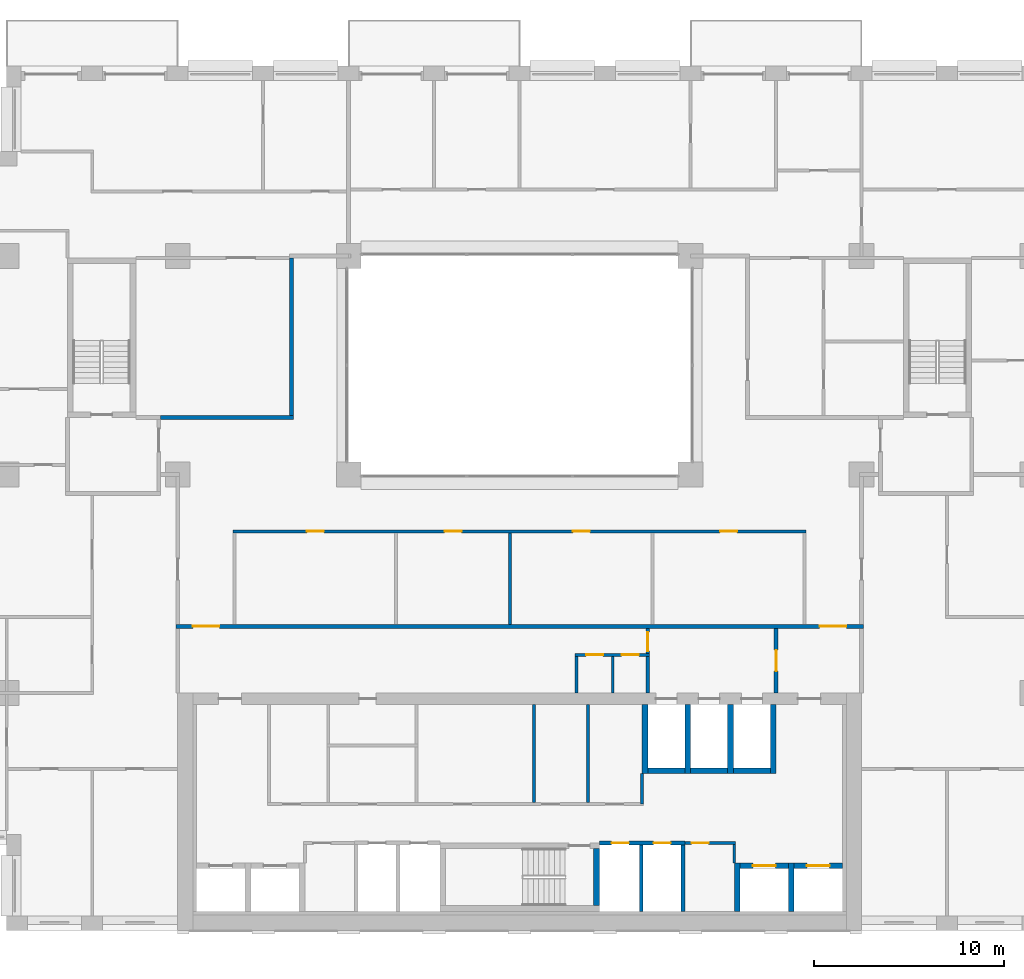
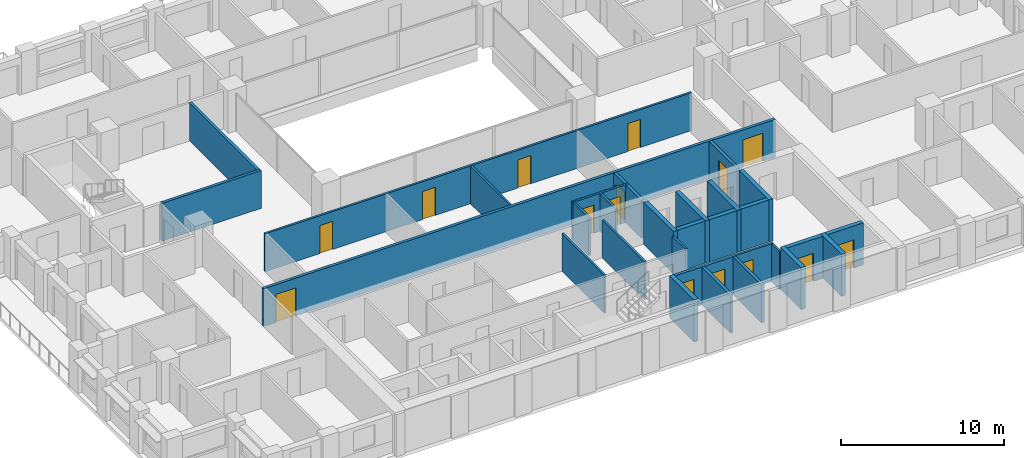
# One storey, part 10 of 17: 31 walls, 15 doors, 15 openings.
"""IFC4 building model written with IfcOpenShell, lengths in metres."""

from ifc_helpers import new_model, si_unit, direction, frame, frame_2d, origin, place, context, subcontext, project, spatial, rectangle, extrude, material, layer, layer_set, type_object, element, fill, save


model = new_model("IFC4")

# Units and contexts
model_context = context("Model", 3, precision=1e-05, world=origin(), true_north=direction((0.0, 1.0)))
body_context = subcontext(model_context, "Body", "Model", "MODEL_VIEW")
ifc_project = project(units=[si_unit("LENGTHUNIT", "METRE"), si_unit("AREAUNIT", "SQUARE_METRE"), si_unit("VOLUMEUNIT", "CUBIC_METRE"), si_unit("PLANEANGLEUNIT", "RADIAN"), si_unit("MASSUNIT", "GRAM", prefix="KILO")], contexts=[model_context])

# Site, building, storey
site_placement = place(None, origin())
site = spatial("IfcSite", under=ifc_project, at=site_placement, CompositionType="ELEMENT")
building_placement = place(site_placement, origin())
building = spatial("IfcBuilding", under=site, at=building_placement, Name="Brigalow Station Residences", CompositionType="ELEMENT")
storey_placement = place(building_placement, frame((0.0, 0.0, 111.89990234375)))
storey = spatial("IfcBuildingStorey", under=building, at=storey_placement, Name="L32", CompositionType="ELEMENT", Elevation=111.89990234375)

# Walls
ifc_material_1 = material(Name="Concrete C65", Category="concrete")
ifc_layer_1 = layer(ifc_material_1, 0.300048828125)
ifc_layer_set_1 = layer_set([ifc_layer_1], Name="CORE SHEAR WALL 300 C65")
wall_type_1 = type_object("IfcWallType", Name="CORE SHEAR WALL 300 C65", PredefinedType="SHEAR", material=ifc_layer_set_1)
wall_1_placement = place(storey_placement, frame((42.75, 8.39990234375, 0.0), z_axis=(0.0, 0.0, 1.0), x_axis=(1.0, 0.0, 0.0)))
element("IfcWall", 1, at=wall_1_placement, inside=storey, type_object=wall_type_1, Name="CORE WALL SH-FF1-S L32", PredefinedType="SHEAR", context=body_context, shape_type="SweptSolid", body=[
    extrude(rectangle(XDim=1.949951171875, YDim=0.300048828125, at=frame_2d((0.97509765625, 0.0))), origin(), (0.0, 0.0, 1.0), 3.150146484375),
])
wall_2_placement = place(storey_placement, frame((42.60009765625, 8.25, 0.0), z_axis=(0.0, 0.0, 1.0), x_axis=(0.0, 1.0, 0.0)))
element("IfcWall", 2, at=wall_2_placement, inside=storey, type_object=wall_type_1, Name="CORE WALL SH-FF1-W L32", PredefinedType="SHEAR", context=body_context, shape_type="SweptSolid", body=[
    extrude(rectangle(XDim=3.64990234375, YDim=0.300048828125, at=frame_2d((1.824951171875, 0.0))), origin(), (0.0, 0.0, 1.0), 3.150146484375),
])
wall_3_placement = place(storey_placement, frame((45.0, 8.39990234375, 0.0), z_axis=(0.0, 0.0, 1.0), x_axis=(1.0, 0.0, 0.0)))
element("IfcWall", 3, at=wall_3_placement, inside=storey, type_object=wall_type_1, Name="CORE WALL SH-FF2-S L32", PredefinedType="SHEAR", context=body_context, shape_type="SweptSolid", body=[
    extrude(rectangle(XDim=1.949951171875, YDim=0.300048828125, at=frame_2d((0.97509765625, 0.0))), origin(), (0.0, 0.0, 1.0), 3.150146484375),
])
wall_4_placement = place(storey_placement, frame((44.85009765625, 8.25, 0.0), z_axis=(0.0, 0.0, 1.0), x_axis=(0.0, 1.0, 0.0)))
element("IfcWall", 4, at=wall_4_placement, inside=storey, type_object=wall_type_1, Name="CORE WALL SH-FF2-W L32", PredefinedType="SHEAR", context=body_context, shape_type="SweptSolid", body=[
    extrude(rectangle(XDim=3.64990234375, YDim=0.300048828125, at=frame_2d((1.824951171875, 0.0))), origin(), (0.0, 0.0, 1.0), 3.150146484375),
])
wall_5_placement = place(storey_placement, frame((47.25, 8.39990234375, 0.0), z_axis=(0.0, 0.0, 1.0), x_axis=(1.0, 0.0, 0.0)))
element("IfcWall", 5, at=wall_5_placement, inside=storey, type_object=wall_type_1, Name="CORE WALL SH-SL1-S L32", PredefinedType="SHEAR", context=body_context, shape_type="SweptSolid", body=[
    extrude(rectangle(XDim=1.949951171875, YDim=0.300048828125, at=frame_2d((0.97509765625, 0.0))), origin(), (0.0, 0.0, 1.0), 3.150146484375),
])
for number, where, z_axis, x_axis, name in (
    (6, (47.10009765625, 8.25, 0.0), (0.0, 0.0, 1.0), (0.0, 1.0, 0.0), "CORE WALL SH-SL1-W L32"),
    (7, (49.35009765625, 8.25, 0.0), (0.0, 0.0, 1.0), (0.0, 1.0, 0.0), "CORE WALL SH-SL1-E L32"),
):
    element("IfcWall", number, at=place(storey_placement, frame(where, z_axis=z_axis, x_axis=x_axis)), inside=storey, type_object=wall_type_1, Name=name, PredefinedType="SHEAR", context=body_context, shape_type="SweptSolid", body=[
        extrude(rectangle(XDim=3.64990234375, YDim=0.300048828125, at=frame_2d((1.824951171875, 0.0))), origin(), (0.0, 0.0, 1.0), 3.150146484375),
    ])

# Wall, opening, door
wall_6_placement = place(storey_placement, frame((47.60009765625, 3.39990234375, 0.0), z_axis=(0.0, 0.0, 1.0), x_axis=(1.0, 0.0, 0.0)))
wall_6 = element("IfcWall", 8, at=wall_6_placement, inside=storey, type_object=wall_type_1, Name="CORE WALL SH-C3-N L32", PredefinedType="SHEAR", context=body_context, shape_type="SweptSolid", body=[
    extrude(rectangle(XDim=2.5498046875, YDim=0.300048828125, at=frame_2d((1.27490234375, 0.0))), origin(), (0.0, 0.0, 1.0), 3.150146484375),
])
opening_1_placement = place(wall_6_placement, frame((0.675048828125, 0.0, 0.0)))
opening_1 = element("IfcOpeningElement", 9, at=opening_1_placement, cuts=wall_6, Name="Opening LD-LB3", PredefinedType="OPENING", context=body_context, shape_type="SweptSolid", body=[
    extrude(rectangle(XDim=1.199951171875, YDim=2.10009765625, at=frame_2d((0.60009765625, 1.050048828125))), frame((0.0, 0.16015625, 0.0), z_axis=(0.0, -1.0, 0.0), x_axis=(1.0, 0.0, 0.0)), (0.0, 0.0, 1.0), 0.320068359375),
])
ifc_material_2 = material(Name="Stainless steel sliding door leaves", Category="steel")
door_type_1 = type_object("IfcDoorType", Name="LIFT LANDING DOOR 1200 x 2100", OperationType="DOUBLE_DOOR_SLIDING", PredefinedType="DOOR", material=ifc_material_2)
door_1_placement = place(opening_1_placement, origin())
door_1 = element("IfcDoor", 10, at=door_1_placement, inside=storey, type_object=door_type_1, Name="LANDING DOOR LB3", OperationType="DOUBLE_DOOR_SLIDING", OverallHeight=2.10009765625, OverallWidth=1.199951171875, PredefinedType="DOOR", context=body_context, shape_type="SweptSolid", body=[
    extrude(rectangle(XDim=1.199951171875, YDim=2.10009765625, at=frame_2d((0.60009765625, 1.050048828125))), frame((0.0, 0.02490234375, 0.0), z_axis=(0.0, -1.0, 0.0), x_axis=(1.0, 0.0, 0.0)), (0.0, 0.0, 1.0), 0.050048828125),
])
fill(opening_1, door_1)

# Wall
wall_7_placement = place(storey_placement, frame((47.449951171875, 1.0, 0.0), z_axis=(0.0, 0.0, 1.0), x_axis=(0.0, 1.0, 0.0)))
element("IfcWall", 11, at=wall_7_placement, inside=storey, type_object=wall_type_1, Name="CORE WALL SH-C3-W L32", PredefinedType="SHEAR", context=body_context, shape_type="SweptSolid", body=[
    extrude(rectangle(XDim=2.550048828125, YDim=0.300048828125, at=frame_2d((1.27490234375, 0.0))), origin(), (0.0, 0.0, 1.0), 3.150146484375),
])

# Wall, opening, door
wall_8_placement = place(storey_placement, frame((50.449951171875, 3.39990234375, 0.0), z_axis=(0.0, 0.0, 1.0), x_axis=(1.0, 0.0, 0.0)))
wall_8 = element("IfcWall", 12, at=wall_8_placement, inside=storey, type_object=wall_type_1, Name="CORE WALL SH-C4-N L32", PredefinedType="SHEAR", context=body_context, shape_type="SweptSolid", body=[
    extrude(rectangle(XDim=2.550048828125, YDim=0.300048828125, at=frame_2d((1.27490234375, 0.0))), origin(), (0.0, 0.0, 1.0), 3.150146484375),
])
opening_2_placement = place(wall_8_placement, frame((0.675048828125, 0.0, 0.0)))
opening_2 = element("IfcOpeningElement", 13, at=opening_2_placement, cuts=wall_8, Name="Opening LD-LB4", PredefinedType="OPENING", context=body_context, shape_type="SweptSolid", body=[
    extrude(rectangle(XDim=1.199951171875, YDim=2.10009765625, at=frame_2d((0.60009765625, 1.050048828125))), frame((0.0, 0.16015625, 0.0), z_axis=(0.0, -1.0, 0.0), x_axis=(1.0, 0.0, 0.0)), (0.0, 0.0, 1.0), 0.320068359375),
])
door_2_placement = place(opening_2_placement, origin())
door_2 = element("IfcDoor", 14, at=door_2_placement, inside=storey, type_object=door_type_1, Name="LANDING DOOR LB4", OperationType="DOUBLE_DOOR_SLIDING", OverallHeight=2.10009765625, OverallWidth=1.199951171875, PredefinedType="DOOR", context=body_context, shape_type="SweptSolid", body=[
    extrude(rectangle(XDim=1.199951171875, YDim=2.10009765625, at=frame_2d((0.60009765625, 1.050048828125))), frame((0.0, 0.02490234375, 0.0), z_axis=(0.0, -1.0, 0.0), x_axis=(1.0, 0.0, 0.0)), (0.0, 0.0, 1.0), 0.050048828125),
])
fill(opening_2, door_2)

# Walls
wall_9_placement = place(storey_placement, frame((50.300048828125, 1.0, 0.0), z_axis=(0.0, 0.0, 1.0), x_axis=(0.0, 1.0, 0.0)))
element("IfcWall", 15, at=wall_9_placement, inside=storey, type_object=wall_type_1, Name="CORE WALL SH-C4-W L32", PredefinedType="SHEAR", context=body_context, shape_type="SweptSolid", body=[
    extrude(rectangle(XDim=2.550048828125, YDim=0.300048828125, at=frame_2d((1.27490234375, 0.0))), origin(), (0.0, 0.0, 1.0), 3.150146484375),
])
wall_10_placement = place(storey_placement, frame((40.050048828125, 1.300048828125, 0.0), z_axis=(0.0, 0.0, 1.0), x_axis=(0.0, 1.0, 0.0)))
element("IfcWall", 16, at=wall_10_placement, inside=storey, type_object=wall_type_1, Name="CORE WALL ST-S2-E L32", PredefinedType="SHEAR", context=body_context, shape_type="SweptSolid", body=[
    extrude(rectangle(XDim=3.0, YDim=0.300048828125, at=frame_2d((1.5, 0.0))), origin(), (0.0, 0.0, 1.0), 3.150146484375),
])

# Wall, openings, doors
ifc_material_3 = material(Name="Concrete blockwork", Category="masonry")
ifc_layer_2 = layer(ifc_material_3, 0.199951171875)
ifc_layer_set_2 = layer_set([ifc_layer_2], Name="FIRE RATED CORE PARTITION 200")
wall_type_2 = type_object("IfcWallType", Name="FIRE RATED CORE PARTITION 200", PredefinedType="PARTITIONING", material=ifc_layer_set_2)
wall_11_placement = place(storey_placement, frame((40.199951171875, 4.60009765625, 0.0), z_axis=(0.0, 0.0, 1.0), x_axis=(1.0, 0.0, 0.0)))
wall_11 = element("IfcWall", 17, at=wall_11_placement, inside=storey, type_object=wall_type_2, Name="PW-5018", PredefinedType="PARTITIONING", context=body_context, shape_type="SweptSolid", body=[
    extrude(rectangle(XDim=4.5, YDim=0.199951171875, at=frame_2d((2.25, 0.0))), origin(), (0.0, 0.0, 1.0), 2.830078125),
])
opening_3_placement = place(wall_11_placement, frame((0.64990234375, 0.0, 0.0)))
opening_3 = element("IfcOpeningElement", 18, at=opening_3_placement, cuts=wall_11, Name="Opening D-5009", PredefinedType="OPENING", context=body_context, shape_type="SweptSolid", body=[
    extrude(rectangle(XDim=0.89990234375, YDim=2.10009765625, at=frame_2d((0.449951171875, 1.050048828125))), frame((0.0, 0.10986328125, 0.0), z_axis=(0.0, -1.0, 0.0), x_axis=(1.0, 0.0, 0.0)), (0.0, 0.0, 1.0), 0.219970703125),
])
opening_4_placement = place(wall_11_placement, frame((2.85009765625, 0.0, 0.0)))
opening_4 = element("IfcOpeningElement", 19, at=opening_4_placement, cuts=wall_11, Name="Opening D-5010", PredefinedType="OPENING", context=body_context, shape_type="SweptSolid", body=[
    extrude(rectangle(XDim=0.89990234375, YDim=2.10009765625, at=frame_2d((0.449951171875, 1.050048828125))), frame((0.0, 0.10986328125, 0.0), z_axis=(0.0, -1.0, 0.0), x_axis=(1.0, 0.0, 0.0)), (0.0, 0.0, 1.0), 0.219970703125),
])
ifc_material_4 = material(Name="Steel fire door leaf in steel frame", Category="steel")
door_type_2 = type_object("IfcDoorType", Name="RISER ACCESS DOOR 900 x 2100 FD120", OperationType="SINGLE_SWING_LEFT", PredefinedType="DOOR", material=ifc_material_4)
door_3_placement = place(opening_3_placement, frame((0.89990234375, 0.0, 0.0), z_axis=(0.0, 0.0, 1.0), x_axis=(-1.0, 0.0, 0.0)))
door_3 = element("IfcDoor", 20, at=door_3_placement, inside=storey, type_object=door_type_2, Name="D-5009", OperationType="SINGLE_SWING_LEFT", OverallHeight=2.10009765625, OverallWidth=0.89990234375, PredefinedType="DOOR", context=body_context, shape_type="SweptSolid", body=[
    extrude(rectangle(XDim=0.89990234375, YDim=2.10009765625, at=frame_2d((0.449951171875, 1.050048828125))), frame((0.0, 0.02490234375, 0.0), z_axis=(0.0, -1.0, 0.0), x_axis=(1.0, 0.0, 0.0)), (0.0, 0.0, 1.0), 0.050048828125),
])
fill(opening_3, door_3)
door_4_placement = place(opening_4_placement, frame((0.89990234375, 0.0, 0.0), z_axis=(0.0, 0.0, 1.0), x_axis=(-1.0, 0.0, 0.0)))
door_4 = element("IfcDoor", 21, at=door_4_placement, inside=storey, type_object=door_type_2, Name="D-5010", OperationType="SINGLE_SWING_LEFT", OverallHeight=2.10009765625, OverallWidth=0.89990234375, PredefinedType="DOOR", context=body_context, shape_type="SweptSolid", body=[
    extrude(rectangle(XDim=0.89990234375, YDim=2.10009765625, at=frame_2d((0.449951171875, 1.050048828125))), frame((0.0, 0.02490234375, 0.0), z_axis=(0.0, -1.0, 0.0), x_axis=(1.0, 0.0, 0.0)), (0.0, 0.0, 1.0), 0.050048828125),
])
fill(opening_4, door_4)

# Walls
for number, where, z_axis, x_axis, name in (
    (22, (42.39990234375, 1.0, 0.0), (0.0, 0.0, 1.0), (0.0, 1.0, 0.0), "PW-5007"),
    (23, (44.60009765625, 1.0, 0.0), (0.0, 0.0, 1.0), (0.0, 1.0, 0.0), "PW-5008"),
):
    element("IfcWall", number, at=place(storey_placement, frame(where, z_axis=z_axis, x_axis=x_axis)), inside=storey, type_object=wall_type_2, Name=name, PredefinedType="PARTITIONING", context=body_context, shape_type="SweptSolid", body=[
        extrude(rectangle(XDim=3.5, YDim=0.199951171875, at=frame_2d((1.75, 0.0))), origin(), (0.0, 0.0, 1.0), 2.830078125),
    ])
wall_12_placement = place(storey_placement, frame((42.75, 12.5, 0.0), z_axis=(0.0, 0.0, 1.0), x_axis=(0.0, 1.0, 0.0)))
element("IfcWall", 24, at=wall_12_placement, inside=storey, type_object=wall_type_2, Name="PW-5046", PredefinedType="PARTITIONING", context=body_context, shape_type="SweptSolid", body=[
    extrude(rectangle(XDim=1.925048828125, YDim=0.199951171875, at=frame_2d((0.96240234375, 0.0))), origin(), (0.0, 0.0, 1.0), 2.830078125),
])

# Wall, opening, door
wall_13_placement = place(storey_placement, frame((49.5, 12.5, 0.0), z_axis=(0.0, 0.0, 1.0), x_axis=(0.0, 1.0, 0.0)))
wall_13 = element("IfcWall", 25, at=wall_13_placement, inside=storey, type_object=wall_type_2, Name="PW-5015", PredefinedType="PARTITIONING", context=body_context, shape_type="SweptSolid", body=[
    extrude(rectangle(XDim=3.39990234375, YDim=0.199951171875, at=frame_2d((1.699951171875, 0.0))), origin(), (0.0, 0.0, 1.0), 2.830078125),
])
opening_5_placement = place(wall_13_placement, frame((1.14990234375, 0.0, 0.0)))
opening_5 = element("IfcOpeningElement", 26, at=opening_5_placement, cuts=wall_13, Name="Opening D-5014", PredefinedType="OPENING", context=body_context, shape_type="SweptSolid", body=[
    extrude(rectangle(XDim=1.10009765625, YDim=2.10009765625, at=frame_2d((0.550048828125, 1.050048828125))), frame((0.0, 0.10986328125, 0.0), z_axis=(0.0, -1.0, 0.0), x_axis=(1.0, 0.0, 0.0)), (0.0, 0.0, 1.0), 0.219970703125),
])
ifc_material_5 = material(Name="Steel fire door leaf in steel frame", Category="steel")
door_type_3 = type_object("IfcDoorType", Name="LOBBY DOOR 1100 x 2100 FD60S", OperationType="SINGLE_SWING_LEFT", PredefinedType="DOOR", material=ifc_material_5)
door_5_placement = place(opening_5_placement, origin())
door_5 = element("IfcDoor", 27, at=door_5_placement, inside=storey, type_object=door_type_3, Name="D-5014", OperationType="SINGLE_SWING_LEFT", OverallHeight=2.10009765625, OverallWidth=1.10009765625, PredefinedType="DOOR", context=body_context, shape_type="SweptSolid", body=[
    extrude(rectangle(XDim=1.10009765625, YDim=2.10009765625, at=frame_2d((0.550048828125, 1.050048828125))), frame((0.0, 0.02490234375, 0.0), z_axis=(0.0, -1.0, 0.0), x_axis=(1.0, 0.0, 0.0)), (0.0, 0.0, 1.0), 0.050048828125),
])
fill(opening_5, door_5)

wall_14_placement = place(storey_placement, frame((42.75, 14.574951171875, 0.0), z_axis=(0.0, 0.0, 1.0), x_axis=(0.0, 1.0, 0.0)))
wall_14 = element("IfcWall", 28, at=wall_14_placement, inside=storey, type_object=wall_type_2, Name="PW-5047", PredefinedType="PARTITIONING", context=body_context, shape_type="SweptSolid", body=[
    extrude(rectangle(XDim=1.324951171875, YDim=0.199951171875, at=frame_2d((0.66259765625, 0.0))), origin(), (0.0, 0.0, 1.0), 2.830078125),
])
opening_6_placement = place(wall_14_placement, frame((0.125, 0.0, 0.0)))
opening_6 = element("IfcOpeningElement", 29, at=opening_6_placement, cuts=wall_14, Name="Opening D-5013", PredefinedType="OPENING", context=body_context, shape_type="SweptSolid", body=[
    extrude(rectangle(XDim=1.0, YDim=2.10009765625, at=frame_2d((0.5, 1.050048828125))), frame((0.0, 0.10986328125, 0.0), z_axis=(0.0, -1.0, 0.0), x_axis=(1.0, 0.0, 0.0)), (0.0, 0.0, 1.0), 0.219970703125),
])
ifc_material_6 = material(Name="Steel fire door leaf in steel frame", Category="steel")
door_type_4 = type_object("IfcDoorType", Name="LOBBY DOOR 1000 x 2100 FD60S", OperationType="SINGLE_SWING_LEFT", PredefinedType="DOOR", material=ifc_material_6)
door_6_placement = place(opening_6_placement, origin())
door_6 = element("IfcDoor", 30, at=door_6_placement, inside=storey, type_object=door_type_4, Name="D-5013", OperationType="SINGLE_SWING_LEFT", OverallHeight=2.10009765625, OverallWidth=1.0, PredefinedType="DOOR", context=body_context, shape_type="SweptSolid", body=[
    extrude(rectangle(XDim=1.0, YDim=2.10009765625, at=frame_2d((0.5, 1.050048828125))), frame((0.0, 0.02490234375, 0.0), z_axis=(0.0, -1.0, 0.0), x_axis=(1.0, 0.0, 0.0)), (0.0, 0.0, 1.0), 0.050048828125),
])
fill(opening_6, door_6)

# Wall, openings, doors
ifc_material_7 = material(Name="Plasterboard on steel stud partition", Category="steel")
ifc_layer_3 = layer(ifc_material_7, 0.14990234375)
ifc_layer_set_3 = layer_set([ifc_layer_3], Name="FLAT PARTITION 150")
wall_type_3 = type_object("IfcWallType", Name="FLAT PARTITION 150", PredefinedType="PARTITIONING", material=ifc_layer_set_3)
wall_15_placement = place(storey_placement, frame((20.925048828125, 21.0, 0.0), z_axis=(0.0, 0.0, 1.0), x_axis=(1.0, 0.0, 0.0)))
wall_15 = element("IfcWall", 31, at=wall_15_placement, inside=storey, type_object=wall_type_3, Name="PW-2D01", PredefinedType="PARTITIONING", context=body_context, shape_type="SweptSolid", body=[
    extrude(rectangle(XDim=30.14990234375, YDim=0.14990234375, at=frame_2d((15.074951171875, 0.0))), origin(), (0.0, 0.0, 1.0), 2.830078125),
])
opening_7_placement = place(wall_15_placement, frame((3.875, 0.0, 0.0)))
opening_7 = element("IfcOpeningElement", 32, at=opening_7_placement, cuts=wall_15, Name="Opening D-2D48", PredefinedType="OPENING", context=body_context, shape_type="SweptSolid", body=[
    extrude(rectangle(XDim=0.89990234375, YDim=2.10009765625, at=frame_2d((0.449951171875, 1.050048828125))), frame((0.0, 0.0849609375, 0.0), z_axis=(0.0, -1.0, 0.0), x_axis=(1.0, 0.0, 0.0)), (0.0, 0.0, 1.0), 0.169921875),
])
opening_8_placement = place(wall_15_placement, frame((11.125, 0.0, 0.0)))
opening_8 = element("IfcOpeningElement", 33, at=opening_8_placement, cuts=wall_15, Name="Opening D-2D49", PredefinedType="OPENING", context=body_context, shape_type="SweptSolid", body=[
    extrude(rectangle(XDim=0.89990234375, YDim=2.10009765625, at=frame_2d((0.449951171875, 1.050048828125))), frame((0.0, 0.0849609375, 0.0), z_axis=(0.0, -1.0, 0.0), x_axis=(1.0, 0.0, 0.0)), (0.0, 0.0, 1.0), 0.169921875),
])
opening_9_placement = place(wall_15_placement, frame((17.875, 0.0, 0.0)))
opening_9 = element("IfcOpeningElement", 34, at=opening_9_placement, cuts=wall_15, Name="Opening D-2D50", PredefinedType="OPENING", context=body_context, shape_type="SweptSolid", body=[
    extrude(rectangle(XDim=0.89990234375, YDim=2.10009765625, at=frame_2d((0.449951171875, 1.050048828125))), frame((0.0, 0.0849609375, 0.0), z_axis=(0.0, -1.0, 0.0), x_axis=(1.0, 0.0, 0.0)), (0.0, 0.0, 1.0), 0.169921875),
])
opening_10_placement = place(wall_15_placement, frame((25.625, 0.0, 0.0)))
opening_10 = element("IfcOpeningElement", 35, at=opening_10_placement, cuts=wall_15, Name="Opening D-2D51", PredefinedType="OPENING", context=body_context, shape_type="SweptSolid", body=[
    extrude(rectangle(XDim=0.89990234375, YDim=2.10009765625, at=frame_2d((0.449951171875, 1.050048828125))), frame((0.0, 0.0849609375, 0.0), z_axis=(0.0, -1.0, 0.0), x_axis=(1.0, 0.0, 0.0)), (0.0, 0.0, 1.0), 0.169921875),
])
ifc_material_8 = material(Name="Solid-core timber door leaf", Category="wood")
door_type_5 = type_object("IfcDoorType", Name="INTERNAL DOOR 900 x 2100", OperationType="SINGLE_SWING_LEFT", PredefinedType="DOOR", material=ifc_material_8)
door_7_placement = place(opening_7_placement, frame((0.89990234375, 0.0, 0.0), z_axis=(0.0, 0.0, 1.0), x_axis=(-1.0, 0.0, 0.0)))
door_7 = element("IfcDoor", 36, at=door_7_placement, inside=storey, type_object=door_type_5, Name="D-2D48", OperationType="SINGLE_SWING_LEFT", OverallHeight=2.10009765625, OverallWidth=0.89990234375, PredefinedType="DOOR", context=body_context, shape_type="SweptSolid", body=[
    extrude(rectangle(XDim=0.89990234375, YDim=2.10009765625, at=frame_2d((0.449951171875, 1.050048828125))), frame((0.0, 0.02490234375, 0.0), z_axis=(0.0, -1.0, 0.0), x_axis=(1.0, 0.0, 0.0)), (0.0, 0.0, 1.0), 0.050048828125),
])
fill(opening_7, door_7)
door_8_placement = place(opening_8_placement, frame((0.89990234375, 0.0, 0.0), z_axis=(0.0, 0.0, 1.0), x_axis=(-1.0, 0.0, 0.0)))
door_8 = element("IfcDoor", 37, at=door_8_placement, inside=storey, type_object=door_type_5, Name="D-2D49", OperationType="SINGLE_SWING_LEFT", OverallHeight=2.10009765625, OverallWidth=0.89990234375, PredefinedType="DOOR", context=body_context, shape_type="SweptSolid", body=[
    extrude(rectangle(XDim=0.89990234375, YDim=2.10009765625, at=frame_2d((0.449951171875, 1.050048828125))), frame((0.0, 0.02490234375, 0.0), z_axis=(0.0, -1.0, 0.0), x_axis=(1.0, 0.0, 0.0)), (0.0, 0.0, 1.0), 0.050048828125),
])
fill(opening_8, door_8)
door_9_placement = place(opening_9_placement, frame((0.89990234375, 0.0, 0.0), z_axis=(0.0, 0.0, 1.0), x_axis=(-1.0, 0.0, 0.0)))
door_9 = element("IfcDoor", 38, at=door_9_placement, inside=storey, type_object=door_type_5, Name="D-2D50", OperationType="SINGLE_SWING_RIGHT", OverallHeight=2.10009765625, OverallWidth=0.89990234375, PredefinedType="DOOR", context=body_context, shape_type="SweptSolid", body=[
    extrude(rectangle(XDim=0.89990234375, YDim=2.10009765625, at=frame_2d((0.449951171875, 1.050048828125))), frame((0.0, 0.02490234375, 0.0), z_axis=(0.0, -1.0, 0.0), x_axis=(1.0, 0.0, 0.0)), (0.0, 0.0, 1.0), 0.050048828125),
])
fill(opening_9, door_9)
door_10_placement = place(opening_10_placement, frame((0.89990234375, 0.0, 0.0), z_axis=(0.0, 0.0, 1.0), x_axis=(-1.0, 0.0, 0.0)))
door_10 = element("IfcDoor", 39, at=door_10_placement, inside=storey, type_object=door_type_5, Name="D-2D51", OperationType="SINGLE_SWING_LEFT", OverallHeight=2.10009765625, OverallWidth=0.89990234375, PredefinedType="DOOR", context=body_context, shape_type="SweptSolid", body=[
    extrude(rectangle(XDim=0.89990234375, YDim=2.10009765625, at=frame_2d((0.449951171875, 1.050048828125))), frame((0.0, 0.02490234375, 0.0), z_axis=(0.0, -1.0, 0.0), x_axis=(1.0, 0.0, 0.0)), (0.0, 0.0, 1.0), 0.050048828125),
])
fill(opening_10, door_10)

# Walls
wall_16_placement = place(storey_placement, frame((35.5, 16.10009765625, 0.0), z_axis=(0.0, 0.0, 1.0), x_axis=(0.0, 1.0, 0.0)))
element("IfcWall", 40, at=wall_16_placement, inside=storey, type_object=wall_type_3, Name="PW-2D69", PredefinedType="PARTITIONING", context=body_context, shape_type="SweptSolid", body=[
    extrude(rectangle(XDim=4.824951171875, YDim=0.14990234375, at=frame_2d((2.41259765625, 0.0))), origin(), (0.0, 0.0, 1.0), 2.830078125),
])
ifc_material_9 = material(Name="Plasterboard on steel stud partition", Category="steel")
ifc_layer_4 = layer(ifc_material_9, 0.199951171875)
ifc_layer_set_4 = layer_set([ifc_layer_4], Name="PARTY AND CORRIDOR WALL 200")
wall_type_4 = type_object("IfcWallType", Name="PARTY AND CORRIDOR WALL 200", PredefinedType="PARTITIONING", material=ifc_layer_set_4)
wall_17_placement = place(storey_placement, frame((17.10009765625, 27.0, 0.0), z_axis=(0.0, 0.0, 1.0), x_axis=(1.0, 0.0, 0.0)))
element("IfcWall", 41, at=wall_17_placement, inside=storey, type_object=wall_type_4, Name="PW-2D05", PredefinedType="PARTITIONING", context=body_context, shape_type="SweptSolid", body=[
    extrude(rectangle(XDim=7.0, YDim=0.199951171875, at=frame_2d((3.5, 0.0))), origin(), (0.0, 0.0, 1.0), 2.830078125),
])

# Wall, openings, doors
wall_18_placement = place(storey_placement, frame((17.89990234375, 16.0, 0.0), z_axis=(0.0, 0.0, 1.0), x_axis=(1.0, 0.0, 0.0)))
wall_18 = element("IfcWall", 42, at=wall_18_placement, inside=storey, type_object=wall_type_4, Name="PW-2D37", PredefinedType="PARTITIONING", context=body_context, shape_type="SweptSolid", body=[
    extrude(rectangle(XDim=36.2001953125, YDim=0.199951171875, at=frame_2d((18.10009765625, 0.0))), origin(), (0.0, 0.0, 1.0), 2.830078125),
])
opening_11_placement = place(wall_18_placement, frame((0.89990234375, 0.0, 0.0)))
opening_11 = element("IfcOpeningElement", 43, at=opening_11_placement, cuts=wall_18, Name="Opening D-2D01", PredefinedType="OPENING", context=body_context, shape_type="SweptSolid", body=[
    extrude(rectangle(XDim=1.39990234375, YDim=2.10009765625, at=frame_2d((0.699951171875, 1.050048828125))), frame((0.0, 0.10986328125, 0.0), z_axis=(0.0, -1.0, 0.0), x_axis=(1.0, 0.0, 0.0)), (0.0, 0.0, 1.0), 0.219970703125),
])
opening_12_placement = place(wall_18_placement, frame((33.89990234375, 0.0, 0.0)))
opening_12 = element("IfcOpeningElement", 44, at=opening_12_placement, cuts=wall_18, Name="Opening D-2D02", PredefinedType="OPENING", context=body_context, shape_type="SweptSolid", body=[
    extrude(rectangle(XDim=1.39990234375, YDim=2.10009765625, at=frame_2d((0.699951171875, 1.050048828125))), frame((0.0, 0.10986328125, 0.0), z_axis=(0.0, -1.0, 0.0), x_axis=(1.0, 0.0, 0.0)), (0.0, 0.0, 1.0), 0.219970703125),
])
ifc_material_10 = material(Name="Solid-core timber door leaf", Category="wood")
door_type_6 = type_object("IfcDoorType", Name="CORRIDOR FIRE DOOR 1400 x 2100 FRL -/60/30", OperationType="DOUBLE_DOOR_SINGLE_SWING", PredefinedType="DOOR", material=ifc_material_10)
door_11_placement = place(opening_11_placement, frame((1.39990234375, 0.0, 0.0), z_axis=(0.0, 0.0, 1.0), x_axis=(-1.0, 0.0, 0.0)))
door_11 = element("IfcDoor", 45, at=door_11_placement, inside=storey, type_object=door_type_6, Name="D-2D01", OperationType="DOUBLE_DOOR_SINGLE_SWING", OverallHeight=2.10009765625, OverallWidth=1.39990234375, PredefinedType="DOOR", context=body_context, shape_type="SweptSolid", body=[
    extrude(rectangle(XDim=1.39990234375, YDim=2.10009765625, at=frame_2d((0.699951171875, 1.050048828125))), frame((0.0, 0.02490234375, 0.0), z_axis=(0.0, -1.0, 0.0), x_axis=(1.0, 0.0, 0.0)), (0.0, 0.0, 1.0), 0.050048828125),
])
fill(opening_11, door_11)
door_12_placement = place(opening_12_placement, frame((1.39990234375, 0.0, 0.0), z_axis=(0.0, 0.0, 1.0), x_axis=(-1.0, 0.0, 0.0)))
door_12 = element("IfcDoor", 46, at=door_12_placement, inside=storey, type_object=door_type_6, Name="D-2D02", OperationType="DOUBLE_DOOR_SINGLE_SWING", OverallHeight=2.10009765625, OverallWidth=1.39990234375, PredefinedType="DOOR", context=body_context, shape_type="SweptSolid", body=[
    extrude(rectangle(XDim=1.39990234375, YDim=2.10009765625, at=frame_2d((0.699951171875, 1.050048828125))), frame((0.0, 0.02490234375, 0.0), z_axis=(0.0, -1.0, 0.0), x_axis=(1.0, 0.0, 0.0)), (0.0, 0.0, 1.0), 0.050048828125),
])
fill(opening_12, door_12)

# Wall
wall_19_placement = place(storey_placement, frame((24.0, 27.10009765625, 0.0), z_axis=(0.0, 0.0, 1.0), x_axis=(0.0, 1.0, 0.0)))
element("IfcWall", 47, at=wall_19_placement, inside=storey, type_object=wall_type_4, Name="PW-2D43", PredefinedType="PARTITIONING", context=body_context, shape_type="SweptSolid", body=[
    extrude(rectangle(XDim=8.2998046875, YDim=0.199951171875, at=frame_2d((4.14990234375, 0.0))), origin(), (0.0, 0.0, 1.0), 2.830078125),
])

# Wall, opening, door
ifc_material_11 = material(Name="Plasterboard on steel studs", Category="steel")
ifc_layer_5 = layer(ifc_material_11, 0.14990234375)
ifc_layer_set_5 = layer_set([ifc_layer_5], Name="SERVICE ROOM PARTITION 150")
wall_type_5 = type_object("IfcWallType", Name="SERVICE ROOM PARTITION 150", PredefinedType="PARTITIONING", material=ifc_layer_set_5)
wall_20_placement = place(storey_placement, frame((44.699951171875, 4.60009765625, 0.0), z_axis=(0.0, 0.0, 1.0), x_axis=(1.0, 0.0, 0.0)))
wall_20 = element("IfcWall", 48, at=wall_20_placement, inside=storey, type_object=wall_type_5, Name="PW-5156", PredefinedType="PARTITIONING", context=body_context, shape_type="SweptSolid", body=[
    extrude(rectangle(XDim=2.675048828125, YDim=0.14990234375, at=frame_2d((1.33740234375, 0.0))), origin(), (0.0, 0.0, 1.0), 2.830078125),
])
opening_13_placement = place(wall_20_placement, frame((0.35009765625, 0.0, 0.0)))
opening_13 = element("IfcOpeningElement", 49, at=opening_13_placement, cuts=wall_20, Name="Opening D-5026", PredefinedType="OPENING", context=body_context, shape_type="SweptSolid", body=[
    extrude(rectangle(XDim=0.89990234375, YDim=2.10009765625, at=frame_2d((0.449951171875, 1.050048828125))), frame((0.0, 0.0849609375, 0.0), z_axis=(0.0, -1.0, 0.0), x_axis=(1.0, 0.0, 0.0)), (0.0, 0.0, 1.0), 0.169921875),
])
ifc_material_12 = material(Name="Steel door leaf in steel frame", Category="steel")
door_type_7 = type_object("IfcDoorType", Name="SERVICE ROOM DOOR 900 x 2100 FD60", OperationType="SINGLE_SWING_LEFT", PredefinedType="DOOR", material=ifc_material_12)
door_13_placement = place(opening_13_placement, frame((0.89990234375, 0.0, 0.0), z_axis=(0.0, 0.0, 1.0), x_axis=(-1.0, 0.0, 0.0)))
door_13 = element("IfcDoor", 50, at=door_13_placement, inside=storey, type_object=door_type_7, Name="D-5026", OperationType="SINGLE_SWING_RIGHT", OverallHeight=2.10009765625, OverallWidth=0.89990234375, PredefinedType="DOOR", context=body_context, shape_type="SweptSolid", body=[
    extrude(rectangle(XDim=0.89990234375, YDim=2.10009765625, at=frame_2d((0.449951171875, 1.050048828125))), frame((0.0, 0.02490234375, 0.0), z_axis=(0.0, -1.0, 0.0), x_axis=(1.0, 0.0, 0.0)), (0.0, 0.0, 1.0), 0.050048828125),
])
fill(opening_13, door_13)

# Wall, openings, doors
wall_21_placement = place(storey_placement, frame((38.925048828125, 14.5, 0.0), z_axis=(0.0, 0.0, 1.0), x_axis=(1.0, 0.0, 0.0)))
wall_21 = element("IfcWall", 51, at=wall_21_placement, inside=storey, type_object=wall_type_5, Name="PW-5129", PredefinedType="PARTITIONING", context=body_context, shape_type="SweptSolid", body=[
    extrude(rectangle(XDim=3.925048828125, YDim=0.14990234375, at=frame_2d((1.96240234375, 0.0))), origin(), (0.0, 0.0, 1.0), 2.830078125),
])
opening_14_placement = place(wall_21_placement, frame((0.574951171875, 0.0, 0.0)))
opening_14 = element("IfcOpeningElement", 52, at=opening_14_placement, cuts=wall_21, Name="Opening D-5077", PredefinedType="OPENING", context=body_context, shape_type="SweptSolid", body=[
    extrude(rectangle(XDim=0.89990234375, YDim=2.10009765625, at=frame_2d((0.449951171875, 1.050048828125))), frame((0.0, 0.0849609375, 0.0), z_axis=(0.0, -1.0, 0.0), x_axis=(1.0, 0.0, 0.0)), (0.0, 0.0, 1.0), 0.169921875),
])
opening_15_placement = place(wall_21_placement, frame((2.449951171875, 0.0, 0.0)))
opening_15 = element("IfcOpeningElement", 53, at=opening_15_placement, cuts=wall_21, Name="Opening D-5078", PredefinedType="OPENING", context=body_context, shape_type="SweptSolid", body=[
    extrude(rectangle(XDim=0.89990234375, YDim=2.10009765625, at=frame_2d((0.449951171875, 1.050048828125))), frame((0.0, 0.0849609375, 0.0), z_axis=(0.0, -1.0, 0.0), x_axis=(1.0, 0.0, 0.0)), (0.0, 0.0, 1.0), 0.169921875),
])
door_14_placement = place(opening_14_placement, frame((0.89990234375, 0.0, 0.0), z_axis=(0.0, 0.0, 1.0), x_axis=(-1.0, 0.0, 0.0)))
door_14 = element("IfcDoor", 54, at=door_14_placement, inside=storey, type_object=door_type_7, Name="D-5077", OperationType="SINGLE_SWING_RIGHT", OverallHeight=2.10009765625, OverallWidth=0.89990234375, PredefinedType="DOOR", context=body_context, shape_type="SweptSolid", body=[
    extrude(rectangle(XDim=0.89990234375, YDim=2.10009765625, at=frame_2d((0.449951171875, 1.050048828125))), frame((0.0, 0.02490234375, 0.0), z_axis=(0.0, -1.0, 0.0), x_axis=(1.0, 0.0, 0.0)), (0.0, 0.0, 1.0), 0.050048828125),
])
fill(opening_14, door_14)
door_15_placement = place(opening_15_placement, frame((0.89990234375, 0.0, 0.0), z_axis=(0.0, 0.0, 1.0), x_axis=(-1.0, 0.0, 0.0)))
door_15 = element("IfcDoor", 55, at=door_15_placement, inside=storey, type_object=door_type_7, Name="D-5078", OperationType="SINGLE_SWING_LEFT", OverallHeight=2.10009765625, OverallWidth=0.89990234375, PredefinedType="DOOR", context=body_context, shape_type="SweptSolid", body=[
    extrude(rectangle(XDim=0.89990234375, YDim=2.10009765625, at=frame_2d((0.449951171875, 1.050048828125))), frame((0.0, 0.02490234375, 0.0), z_axis=(0.0, -1.0, 0.0), x_axis=(1.0, 0.0, 0.0)), (0.0, 0.0, 1.0), 0.050048828125),
])
fill(opening_15, door_15)

# Walls
wall_22_placement = place(storey_placement, frame((47.300048828125, 3.550048828125, 0.0), z_axis=(0.0, 0.0, 1.0), x_axis=(0.0, 1.0, 0.0)))
element("IfcWall", 56, at=wall_22_placement, inside=storey, type_object=wall_type_5, Name="PW-5158", PredefinedType="PARTITIONING", context=body_context, shape_type="SweptSolid", body=[
    extrude(rectangle(XDim=0.974853515625, YDim=0.14990234375, at=frame_2d((0.4873046875, 0.0))), origin(), (0.0, 0.0, 1.0), 2.830078125),
])
wall_23_placement = place(storey_placement, frame((42.449951171875, 6.64990234375, 0.0), z_axis=(0.0, 0.0, 1.0), x_axis=(0.0, 1.0, 0.0)))
element("IfcWall", 57, at=wall_23_placement, inside=storey, type_object=wall_type_5, Name="PW-5029", PredefinedType="PARTITIONING", context=body_context, shape_type="SweptSolid", body=[
    extrude(rectangle(XDim=1.60009765625, YDim=0.14990234375, at=frame_2d((0.800048828125, 0.0))), origin(), (0.0, 0.0, 1.0), 2.830078125),
])
for number, where, z_axis, x_axis, name in (
    (58, (36.75, 6.72509765625, 0.0), (0.0, 0.0, 1.0), (0.0, 1.0, 0.0), "PW-5227"),
    (59, (39.60009765625, 6.72509765625, 0.0), (0.0, 0.0, 1.0), (0.0, 1.0, 0.0), "PW-5201"),
):
    element("IfcWall", number, at=place(storey_placement, frame(where, z_axis=z_axis, x_axis=x_axis)), inside=storey, type_object=wall_type_5, Name=name, PredefinedType="PARTITIONING", context=body_context, shape_type="SweptSolid", body=[
        extrude(rectangle(XDim=5.1748046875, YDim=0.14990234375, at=frame_2d((2.58740234375, 0.0))), origin(), (0.0, 0.0, 1.0), 2.830078125),
    ])
for number, where, z_axis, x_axis, name in (
    (60, (39.0, 12.5, 0.0), (0.0, 0.0, 1.0), (0.0, 1.0, 0.0), "PW-5136"),
    (61, (40.89990234375, 12.5, 0.0), (0.0, 0.0, 1.0), (0.0, 1.0, 0.0), "PW-5137"),
):
    element("IfcWall", number, at=place(storey_placement, frame(where, z_axis=z_axis, x_axis=x_axis)), inside=storey, type_object=wall_type_5, Name=name, PredefinedType="PARTITIONING", context=body_context, shape_type="SweptSolid", body=[
        extrude(rectangle(XDim=1.925048828125, YDim=0.14990234375, at=frame_2d((0.96240234375, 0.0))), origin(), (0.0, 0.0, 1.0), 2.830078125),
    ])

save(model, "model.ifc")
